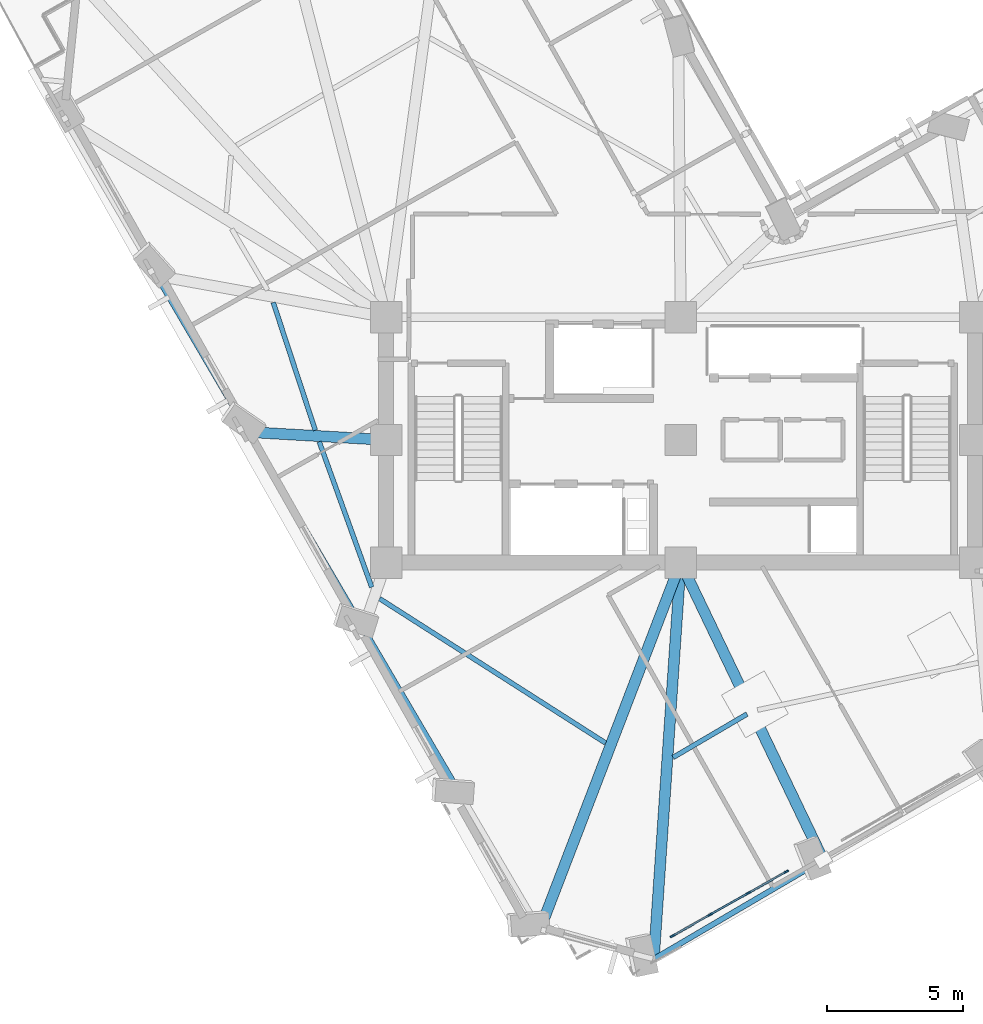
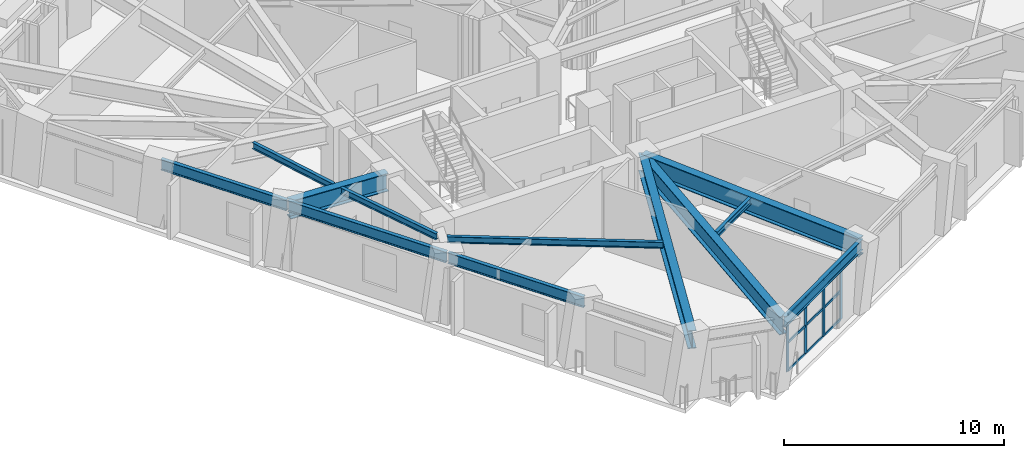
# One storey, part 2 of 18: 13 members, 12 beams, 1 element without a shape of its own.
"""IFC4 building model written with IfcOpenShell, lengths in metres."""

from ifc_helpers import new_model, si_unit, direction, frame, origin, origin_2d, place, context, subcontext, project, spatial, rectangle, i_section, extrude, material, material_profile, profile_set, type_object, element, aggregate, save


model = new_model("IFC4")

# Units and contexts
model_context = context("Model", 3, precision=1e-05, world=origin(), true_north=direction((0.0, 1.0)))
body_context = subcontext(model_context, "Body", "Model", "MODEL_VIEW")
ifc_project = project(units=[si_unit("LENGTHUNIT", "METRE"), si_unit("AREAUNIT", "SQUARE_METRE"), si_unit("VOLUMEUNIT", "CUBIC_METRE"), si_unit("PLANEANGLEUNIT", "RADIAN"), si_unit("MASSUNIT", "GRAM", prefix="KILO")], contexts=[model_context])

# Site, building, storey
site_placement = place(None, origin())
site = spatial("IfcSite", under=ifc_project, at=site_placement, CompositionType="ELEMENT")
building_placement = place(site_placement, origin())
building = spatial("IfcBuilding", under=site, at=building_placement, Name="Gaonmaruhae Medical Tower", CompositionType="ELEMENT")
storey_placement = place(building_placement, frame((0.0, 0.0, 149.800048828125)))
storey = spatial("IfcBuildingStorey", under=building, at=storey_placement, Name="L35", CompositionType="ELEMENT", Elevation=149.800048828125)

# Beams
ifc_material_1 = material(Name="Steel SM420", Category="steel")
ifc_material_profile_1 = material_profile(ifc_material_1, i_section(OverallWidth=0.39990234375, OverallDepth=1.0, WebThickness=0.02197265625, FlangeThickness=0.035888671875, at=origin_2d()), Name="BH-1000x400x22x36")
ifc_profile_set_1 = profile_set([ifc_material_profile_1], Name="Steel SM420")
beam_type_1 = type_object("IfcBeamType", Name="BG-02 Refuge Floor Primary Girder (BH-1000x400x22x36)", PredefinedType="BEAM", material=ifc_profile_set_1)
beam_1_placement = place(storey_placement, frame((24.796630859375, 7.75, 3.280029296875), z_axis=(-0.067667806617, -0.997707907129, 0.0), x_axis=(0.997707907129, -0.067667806617, 0.0)))
element("IfcBeam", 1, at=beam_1_placement, inside=storey, type_object=beam_type_1, Name="L35 Radial Primary Girder S01", PredefinedType="BEAM", context=body_context, shape_type="SweptSolid", body=[
    extrude(i_section(OverallWidth=0.39990234375, OverallDepth=1.0, WebThickness=0.02197265625, FlangeThickness=0.035888671875, at=origin_2d()), origin(), (0.0, 0.0, 1.0), 14.471435546875),
])
beam_2_placement = place(storey_placement, frame((24.821533203125, 7.7548828125, 3.280029296875), z_axis=(0.432376658524, -0.90169308812, 0.0), x_axis=(0.90169308812, 0.432376658524, 0.0)))
element("IfcBeam", 2, at=beam_2_placement, inside=storey, type_object=beam_type_1, Name="L35 Radial Primary Girder S02", PredefinedType="BEAM", context=body_context, shape_type="SweptSolid", body=[
    extrude(i_section(OverallWidth=0.39990234375, OverallDepth=1.0, WebThickness=0.02197265625, FlangeThickness=0.035888671875, at=origin_2d()), origin(), (0.0, 0.0, 1.0), 11.982421875),
])
beam_3_placement = place(storey_placement, frame((13.9501953125, 12.302978515625, 3.280029296875), z_axis=(-0.998350730767, 0.057409218568, 0.0), x_axis=(-0.057409218568, -0.998350730767, 0.0)))
element("IfcBeam", 3, at=beam_3_placement, inside=storey, type_object=beam_type_1, Name="L35 Radial Primary Girder W03", PredefinedType="BEAM", context=body_context, shape_type="SweptSolid", body=[
    extrude(i_section(OverallWidth=0.39990234375, OverallDepth=1.0, WebThickness=0.02197265625, FlangeThickness=0.035888671875, at=origin_2d()), origin(), (0.0, 0.0, 1.0), 4.971435546875),
])
beam_4_placement = place(storey_placement, frame((24.781982421875, 7.75341796875, 3.280029296875), z_axis=(-0.358169342315, -0.933656640434, 0.0), x_axis=(0.933656640434, -0.358169342315, 0.0)))
element("IfcBeam", 4, at=beam_4_placement, inside=storey, type_object=beam_type_1, Name="L35 Radial Primary Girder W06", PredefinedType="BEAM", context=body_context, shape_type="SweptSolid", body=[
    extrude(i_section(OverallWidth=0.39990234375, OverallDepth=1.0, WebThickness=0.02197265625, FlangeThickness=0.035888671875, at=origin_2d()), origin(), (0.0, 0.0, 1.0), 14.306884765625),
])

# Curtain wall, members
ifc_material_2 = material(Name="Anodised aluminium and Low-E double glazing", Category="aluminium")
curtain_wall_type = type_object("IfcCurtainWallType", Name="CW-S4 Setback Sky Garden Wintergarden Curtain Wall", PredefinedType="NOTDEFINED", material=ifc_material_2)
curtain_wall_placement = place(storey_placement, origin())
curtain_wall = element("IfcCurtainWall", 5, at=curtain_wall_placement, inside=storey, type_object=curtain_wall_type, Name="L35 Curtain Wall CW-L35-S01", PredefinedType="NOTDEFINED")
ifc_material_3 = material(Name="Anodised aluminium 6063-T6", Category="aluminium")
ifc_material_profile_2 = material_profile(ifc_material_3, rectangle(XDim=0.06494140625, YDim=0.179931640625, at=origin_2d()), Name="CWM-65x180")
ifc_profile_set_2 = profile_set([ifc_material_profile_2], Name="Anodised aluminium 6063-T6")
member_type_1 = type_object("IfcMemberType", Name="CWM-2 Tower Feature Curtain Wall Mullion (CWM-65x180)", PredefinedType="MULLION", material=ifc_profile_set_2)
member_1_placement = place(storey_placement, frame((28.669677734375, -3.535400390625, 0.0), z_axis=(0.0, 0.0, 1.0), x_axis=(0.491662674579, -0.870785745419, 0.0)))
member_1 = element("IfcMember", 6, at=member_1_placement, type_object=member_type_1, Name="CW-S4 mullion 1", PredefinedType="MULLION", context=body_context, shape_type="SweptSolid", body=[
    extrude(rectangle(XDim=0.06494140625, YDim=0.179931640625, at=origin_2d()), origin(), (0.0, 0.0, 1.0), 3.1650390625),
])
member_2_placement = place(storey_placement, frame((27.28955078125, -4.314697265625, 0.0), z_axis=(0.0, 0.0, 1.0), x_axis=(0.491662674579, -0.870785745419, 0.0)))
member_2 = element("IfcMember", 7, at=member_2_placement, type_object=member_type_1, Name="CW-S4 mullion 2", PredefinedType="MULLION", context=body_context, shape_type="SweptSolid", body=[
    extrude(rectangle(XDim=0.06494140625, YDim=0.179931640625, at=origin_2d()), origin(), (0.0, 0.0, 1.0), 3.1650390625),
])
member_3_placement = place(storey_placement, frame((25.881103515625, -5.10986328125, 0.0), z_axis=(0.0, 0.0, 1.0), x_axis=(0.491662674579, -0.870785745419, 0.0)))
member_3 = element("IfcMember", 8, at=member_3_placement, type_object=member_type_1, Name="CW-S4 mullion 3", PredefinedType="MULLION", context=body_context, shape_type="SweptSolid", body=[
    extrude(rectangle(XDim=0.06494140625, YDim=0.179931640625, at=origin_2d()), origin(), (0.0, 0.0, 1.0), 3.1650390625),
])
member_4_placement = place(storey_placement, frame((24.500732421875, -5.88916015625, 0.0), z_axis=(0.0, 0.0, 1.0), x_axis=(0.491662674579, -0.870785745419, 0.0)))
member_4 = element("IfcMember", 9, at=member_4_placement, type_object=member_type_1, Name="CW-S4 mullion 4", PredefinedType="MULLION", context=body_context, shape_type="SweptSolid", body=[
    extrude(rectangle(XDim=0.06494140625, YDim=0.179931640625, at=origin_2d()), origin(), (0.0, 0.0, 1.0), 3.1650390625),
])
ifc_material_profile_3 = material_profile(ifc_material_3, rectangle(XDim=0.06494140625, YDim=0.139892578125, at=origin_2d()), Name="CWT-65x140")
ifc_profile_set_3 = profile_set([ifc_material_profile_3], Name="Anodised aluminium 6063-T6")
member_type_2 = type_object("IfcMemberType", Name="CWT-2 Tower Feature Curtain Wall Transom (CWT-65x140)", PredefinedType="USERDEFINED", material=ifc_profile_set_3)
member_5_placement = place(storey_placement, frame((28.641357421875, -3.55126953125, 0.032470703125), z_axis=(-0.870772176478, -0.491686705811, 0.0), x_axis=(0.491686705811, -0.870772176478, 0.0)))
member_5 = element("IfcMember", 10, at=member_5_placement, type_object=member_type_2, Name="CW-S4 transom 1.1", ObjectType="TRANSOM", PredefinedType="USERDEFINED", context=body_context, shape_type="SweptSolid", body=[
    extrude(rectangle(XDim=0.06494140625, YDim=0.139892578125, at=origin_2d()), origin(), (0.0, 0.0, 1.0), 1.52001953125),
])
member_6_placement = place(storey_placement, frame((28.641357421875, -3.55126953125, 1.58251953125), z_axis=(-0.870772176478, -0.491686705811, 0.0), x_axis=(0.491686705811, -0.870772176478, 0.0)))
member_6 = element("IfcMember", 11, at=member_6_placement, type_object=member_type_2, Name="CW-S4 transom 1.2", ObjectType="TRANSOM", PredefinedType="USERDEFINED", context=body_context, shape_type="SweptSolid", body=[
    extrude(rectangle(XDim=0.06494140625, YDim=0.139892578125, at=origin_2d()), origin(), (0.0, 0.0, 1.0), 1.52001953125),
])
member_7_placement = place(storey_placement, frame((28.641357421875, -3.55126953125, 3.132568359375), z_axis=(-0.870772176478, -0.491686705811, 0.0), x_axis=(0.491686705811, -0.870772176478, 0.0)))
member_7 = element("IfcMember", 12, at=member_7_placement, type_object=member_type_2, Name="CW-S4 transom 1.3", ObjectType="TRANSOM", PredefinedType="USERDEFINED", context=body_context, shape_type="SweptSolid", body=[
    extrude(rectangle(XDim=0.06494140625, YDim=0.139892578125, at=origin_2d()), origin(), (0.0, 0.0, 1.0), 1.52001953125),
])
member_8_placement = place(storey_placement, frame((27.26123046875, -4.33056640625, 0.032470703125), z_axis=(-0.87077653532, -0.491678986267, 0.0), x_axis=(0.491678986267, -0.87077653532, 0.0)))
member_8 = element("IfcMember", 13, at=member_8_placement, type_object=member_type_2, Name="CW-S4 transom 2.1", ObjectType="TRANSOM", PredefinedType="USERDEFINED", context=body_context, shape_type="SweptSolid", body=[
    extrude(rectangle(XDim=0.06494140625, YDim=0.139892578125, at=origin_2d()), origin(), (0.0, 0.0, 1.0), 1.552734375),
])
member_9_placement = place(storey_placement, frame((27.26123046875, -4.33056640625, 1.58251953125), z_axis=(-0.87077653532, -0.491678986267, 0.0), x_axis=(0.491678986267, -0.87077653532, 0.0)))
member_9 = element("IfcMember", 14, at=member_9_placement, type_object=member_type_2, Name="CW-S4 transom 2.2", ObjectType="TRANSOM", PredefinedType="USERDEFINED", context=body_context, shape_type="SweptSolid", body=[
    extrude(rectangle(XDim=0.06494140625, YDim=0.139892578125, at=origin_2d()), origin(), (0.0, 0.0, 1.0), 1.552734375),
])
member_10_placement = place(storey_placement, frame((27.26123046875, -4.33056640625, 3.132568359375), z_axis=(-0.87077653532, -0.491678986267, 0.0), x_axis=(0.491678986267, -0.87077653532, 0.0)))
member_10 = element("IfcMember", 15, at=member_10_placement, type_object=member_type_2, Name="CW-S4 transom 2.3", ObjectType="TRANSOM", PredefinedType="USERDEFINED", context=body_context, shape_type="SweptSolid", body=[
    extrude(rectangle(XDim=0.06494140625, YDim=0.139892578125, at=origin_2d()), origin(), (0.0, 0.0, 1.0), 1.552734375),
])
member_11_placement = place(storey_placement, frame((25.852783203125, -5.1259765625, 0.032470703125), z_axis=(-0.870811001433, -0.491617940868, 0.0), x_axis=(0.491617940868, -0.870811001433, 0.0)))
member_11 = element("IfcMember", 16, at=member_11_placement, type_object=member_type_2, Name="CW-S4 transom 3.1", ObjectType="TRANSOM", PredefinedType="USERDEFINED", context=body_context, shape_type="SweptSolid", body=[
    extrude(rectangle(XDim=0.06494140625, YDim=0.139892578125, at=origin_2d()), origin(), (0.0, 0.0, 1.0), 1.52001953125),
])
member_12_placement = place(storey_placement, frame((25.852783203125, -5.1259765625, 1.58251953125), z_axis=(-0.870811001433, -0.491617940868, 0.0), x_axis=(0.491617940868, -0.870811001433, 0.0)))
member_12 = element("IfcMember", 17, at=member_12_placement, type_object=member_type_2, Name="CW-S4 transom 3.2", ObjectType="TRANSOM", PredefinedType="USERDEFINED", context=body_context, shape_type="SweptSolid", body=[
    extrude(rectangle(XDim=0.06494140625, YDim=0.139892578125, at=origin_2d()), origin(), (0.0, 0.0, 1.0), 1.52001953125),
])
member_13_placement = place(storey_placement, frame((25.852783203125, -5.1259765625, 3.132568359375), z_axis=(-0.870811001433, -0.491617940868, 0.0), x_axis=(0.491617940868, -0.870811001433, 0.0)))
member_13 = element("IfcMember", 18, at=member_13_placement, type_object=member_type_2, Name="CW-S4 transom 3.3", ObjectType="TRANSOM", PredefinedType="USERDEFINED", context=body_context, shape_type="SweptSolid", body=[
    extrude(rectangle(XDim=0.06494140625, YDim=0.139892578125, at=origin_2d()), origin(), (0.0, 0.0, 1.0), 1.52001953125),
])
aggregate(curtain_wall, [member_1, member_2, member_3, member_4, member_5, member_6, member_7, member_8, member_9, member_10, member_11, member_12, member_13])

# Beams
ifc_material_4 = material(Name="Steel SM355", Category="steel")
ifc_material_profile_4 = material_profile(ifc_material_4, i_section(OverallWidth=0.175048828125, OverallDepth=0.35009765625, WebThickness=0.007080078125, FlangeThickness=0.010986328125, FilletRadius=0.012939453125, at=origin_2d()), Name="H-350x175x7x11")
ifc_profile_set_4 = profile_set([ifc_material_profile_4], Name="Steel SM355")
beam_type_2 = type_object("IfcBeamType", Name="FJ-02 Upper Zone Ward Floor Joist (H-350x175x7x11)", PredefinedType="JOIST", material=ifc_profile_set_4)
beam_5_placement = place(storey_placement, frame((24.520751953125, 0.656494140625, 3.60498046875), z_axis=(0.862526260874, 0.506012301533, 0.0), x_axis=(-0.506012301533, 0.862526260874, 0.0)))
element("IfcBeam", 19, at=beam_5_placement, inside=storey, type_object=beam_type_2, Name="L35 Secondary Floor Joist FJ01", PredefinedType="JOIST", context=body_context, shape_type="SweptSolid", body=[
    extrude(i_section(OverallWidth=0.175048828125, OverallDepth=0.35009765625, WebThickness=0.007080078125, FlangeThickness=0.010986328125, FilletRadius=0.012939453125, at=origin_2d()), origin(), (0.0, 0.0, 1.0), 3.145263671875),
])
beam_6_placement = place(storey_placement, frame((9.85888671875, 17.341796875, 3.60498046875), z_axis=(0.312335146831, -0.949971976457, 0.0), x_axis=(0.949971976457, 0.312335146831, 0.0)))
element("IfcBeam", 20, at=beam_6_placement, inside=storey, type_object=beam_type_2, Name="L35 Secondary Floor Joist FJ18", PredefinedType="JOIST", context=body_context, shape_type="SweptSolid", body=[
    extrude(i_section(OverallWidth=0.175048828125, OverallDepth=0.35009765625, WebThickness=0.007080078125, FlangeThickness=0.010986328125, FilletRadius=0.012939453125, at=origin_2d()), origin(), (0.0, 0.0, 1.0), 4.93310546875),
])
beam_7_placement = place(storey_placement, frame((11.54443359375, 12.2353515625, 3.60498046875), z_axis=(0.339651865865, -0.940551226683, 0.0), x_axis=(0.940551226683, 0.339651865865, 0.0)))
element("IfcBeam", 21, at=beam_7_placement, inside=storey, type_object=beam_type_2, Name="L35 Secondary Floor Joist FJ19", PredefinedType="JOIST", context=body_context, shape_type="SweptSolid", body=[
    extrude(i_section(OverallWidth=0.175048828125, OverallDepth=0.35009765625, WebThickness=0.007080078125, FlangeThickness=0.010986328125, FilletRadius=0.012939453125, at=origin_2d()), origin(), (0.0, 0.0, 1.0), 5.673583984375),
])
beam_8_placement = place(storey_placement, frame((13.759521484375, 6.480712890625, 3.60498046875), z_axis=(0.842653688051, -0.538455905357, 0.0), x_axis=(0.538455905357, 0.842653688051, 0.0)))
element("IfcBeam", 22, at=beam_8_placement, inside=storey, type_object=beam_type_2, Name="L35 Secondary Floor Joist FJ20", PredefinedType="JOIST", context=body_context, shape_type="SweptSolid", body=[
    extrude(i_section(OverallWidth=0.175048828125, OverallDepth=0.35009765625, WebThickness=0.007080078125, FlangeThickness=0.010986328125, FilletRadius=0.012939453125, at=origin_2d()), origin(), (0.0, 0.0, 1.0), 9.829833984375),
])
ifc_material_profile_5 = material_profile(ifc_material_4, i_section(OverallWidth=0.199951171875, OverallDepth=0.60009765625, WebThickness=0.010986328125, FlangeThickness=0.01708984375, FilletRadius=0.012939453125, at=origin_2d()), Name="H-600x200x11x17")
ifc_profile_set_5 = profile_set([ifc_material_profile_5], Name="Steel SM355")
beam_type_3 = type_object("IfcBeamType", Name="SP-01 Lower Perimeter Spandrel Beam (H-600x200x11x17)", PredefinedType="SPANDREL", material=ifc_profile_set_5)
beam_9_placement = place(storey_placement, frame((23.848388671875, -6.718017578125, 3.47998046875), z_axis=(0.862510139418, 0.506039780454, 0.0), x_axis=(-0.506039780454, 0.862510139418, 0.0)))
element("IfcBeam", 23, at=beam_9_placement, inside=storey, type_object=beam_type_3, Name="L35 Perimeter Spandrel Beam S01-S02", PredefinedType="SPANDREL", context=body_context, shape_type="SweptSolid", body=[
    extrude(i_section(OverallWidth=0.199951171875, OverallDepth=0.60009765625, WebThickness=0.010986328125, FlangeThickness=0.01708984375, FilletRadius=0.012939453125, at=origin_2d()), origin(), (0.0, 0.0, 1.0), 7.1201171875),
])
beam_10_placement = place(storey_placement, frame((5.59228515625, 18.29248046875, 3.47998046875), z_axis=(0.50603893863, -0.86251063332, 0.0), x_axis=(0.86251063332, 0.50603893863, 0.0)))
element("IfcBeam", 24, at=beam_10_placement, inside=storey, type_object=beam_type_3, Name="L35 Perimeter Spandrel Beam W02-W03", PredefinedType="SPANDREL", context=body_context, shape_type="SweptSolid", body=[
    extrude(i_section(OverallWidth=0.199951171875, OverallDepth=0.60009765625, WebThickness=0.010986328125, FlangeThickness=0.01708984375, FilletRadius=0.012939453125, at=origin_2d()), origin(), (0.0, 0.0, 1.0), 6.570068359375),
])
beam_11_placement = place(storey_placement, frame((8.95751953125, 12.556884765625, 3.47998046875), z_axis=(0.506022517774, -0.862520267301, 0.0), x_axis=(0.862520267301, 0.506022517774, 0.0)))
element("IfcBeam", 25, at=beam_11_placement, inside=storey, type_object=beam_type_3, Name="L35 Perimeter Spandrel Beam W03-W04", PredefinedType="SPANDREL", context=body_context, shape_type="SweptSolid", body=[
    extrude(i_section(OverallWidth=0.199951171875, OverallDepth=0.60009765625, WebThickness=0.010986328125, FlangeThickness=0.01708984375, FilletRadius=0.012939453125, at=origin_2d()), origin(), (0.0, 0.0, 1.0), 8.27001953125),
])
beam_12_placement = place(storey_placement, frame((13.182861328125, 5.354736328125, 3.47998046875), z_axis=(0.506039780454, -0.862510139418, 0.0), x_axis=(0.862510139418, 0.506039780454, 0.0)))
element("IfcBeam", 26, at=beam_12_placement, inside=storey, type_object=beam_type_3, Name="L35 Perimeter Spandrel Beam W04-W05", PredefinedType="SPANDREL", context=body_context, shape_type="SweptSolid", body=[
    extrude(i_section(OverallWidth=0.199951171875, OverallDepth=0.60009765625, WebThickness=0.010986328125, FlangeThickness=0.01708984375, FilletRadius=0.012939453125, at=origin_2d()), origin(), (0.0, 0.0, 1.0), 7.1201171875),
])

save(model, "model.ifc")
